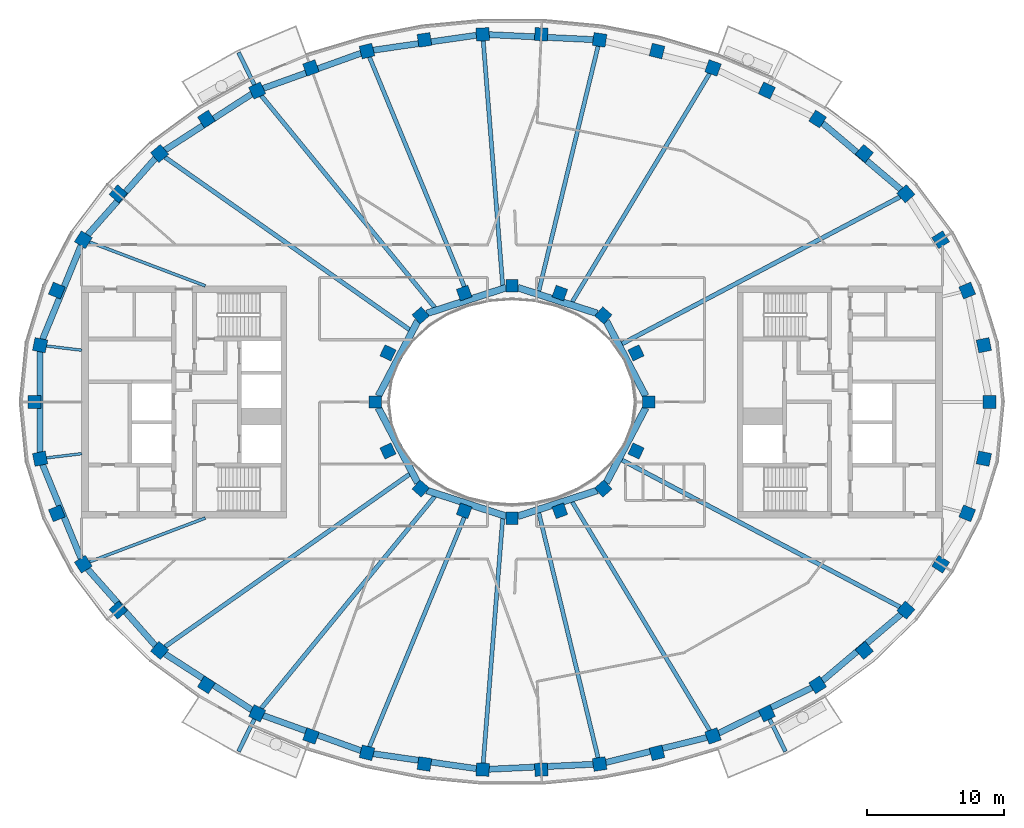
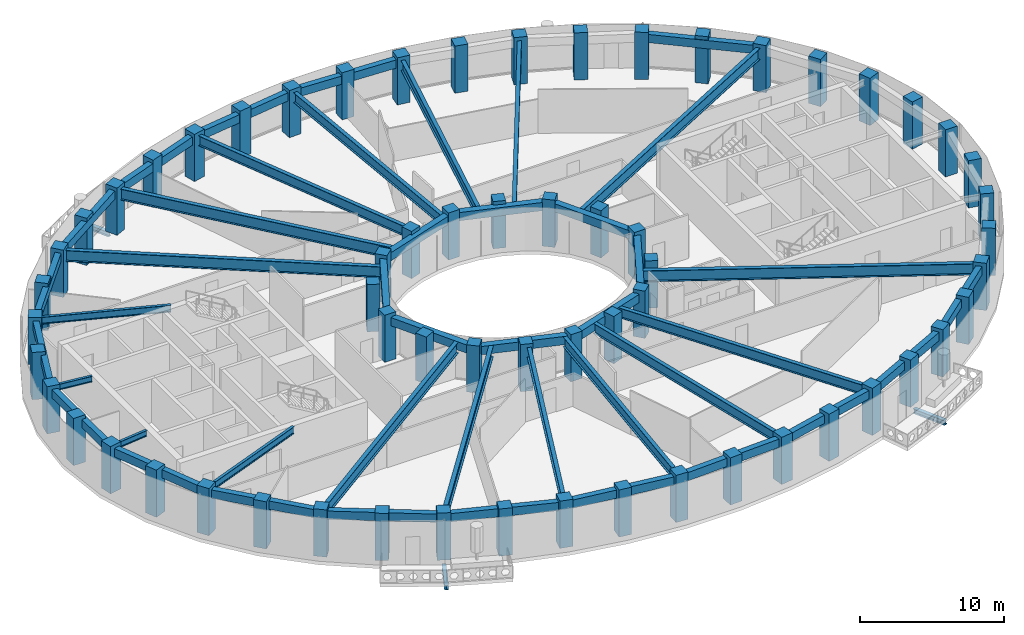
# One storey, part 1 of 15: 62 columns, 46 beams.
"""IFC4 building model written with IfcOpenShell, lengths in metres."""

from ifc_helpers import new_model, si_unit, direction, frame, origin, origin_2d, place, context, subcontext, project, spatial, rectangle, i_section, extrude, material, material_profile, profile_set, type_object, element, save


model = new_model("IFC4")

# Units and contexts
model_context = context("Model", 3, precision=1e-05, world=origin(), true_north=direction((0.0, 1.0)))
body_context = subcontext(model_context, "Body", "Model", "MODEL_VIEW")
ifc_project = project(units=[si_unit("LENGTHUNIT", "METRE"), si_unit("AREAUNIT", "SQUARE_METRE"), si_unit("VOLUMEUNIT", "CUBIC_METRE"), si_unit("PLANEANGLEUNIT", "RADIAN"), si_unit("MASSUNIT", "GRAM", prefix="KILO")], contexts=[model_context])

# Site, building, storey
site_placement = place(None, origin())
site = spatial("IfcSite", under=ifc_project, at=site_placement, CompositionType="ELEMENT")
building_placement = place(site_placement, origin())
building = spatial("IfcBuilding", under=site, at=building_placement, Name="Noorbagh Ring Tower", CompositionType="ELEMENT")
storey_placement = place(building_placement, frame((0.0, 0.0, 307.0)))
storey = spatial("IfcBuildingStorey", under=building, at=storey_placement, Name="L66", CompositionType="ELEMENT", Elevation=307.0)

# Columns
ifc_material_1 = material(Name="Concrete C50/60", Category="concrete")
ifc_material_profile_1 = material_profile(ifc_material_1, rectangle(XDim=0.949951171875, YDim=0.949951171875, at=origin_2d()), Name="RC950x950")
ifc_profile_set_1 = profile_set([ifc_material_profile_1], Name="Concrete C50/60")
column_type_1 = type_object("IfcColumnType", Name="STR-COL-RC950x950-C50-60", PredefinedType="COLUMN", material=ifc_profile_set_1)
for number, where, z_axis, x_axis, name in (
    (1, (34.944580078125, 0.0, 0.0), (0.0, 0.0, 1.0), (0.0, 1.0, 0.0), "L66/col/R1-01"),
    (2, (34.52685546875, 4.150634765625, 0.0), (0.0, 0.0, 1.0), (-0.19723040178, 0.9803571638, 0.0), "L66/col/R1-02"),
    (3, (33.30517578125, 8.1494140625, 0.0), (0.0, 0.0, 1.0), (-0.378989499959, 0.925400971969, 0.0), "L66/col/R1-03"),
    (4, (31.364990234375, 11.87109375, 0.0), (0.0, 0.0, 1.0), (-0.535190403059, 0.844731455833, 0.0), "L66/col/R1-04"),
    (5, (28.81884765625, 15.23046875, 0.0), (0.0, 0.0, 1.0), (-0.662635642662, 0.748941923699, 0.0), "L66/col/R1-05"),
    (6, (25.78271484375, 18.180419921875, 0.0), (0.0, 0.0, 1.0), (-0.763035199656, 0.646356932419, 0.0), "L66/col/R1-06"),
    (7, (22.362060546875, 20.699951171875, 0.0), (0.0, 0.0, 1.0), (-0.840247639643, 0.542202825586, 0.0), "L66/col/R1-07"),
    (8, (18.646240234375, 22.785400390625, 0.0), (0.0, 0.0, 1.0), (-0.898399080868, 0.439180021741, 0.0), "L66/col/R1-08"),
    (9, (14.70947265625, 24.44091796875, 0.0), (0.0, 0.0, 1.0), (-0.941024726094, 0.338337797003, 0.0), "L66/col/R1-09"),
    (10, (10.61328125, 25.673583984375, 0.0), (0.0, 0.0, 1.0), (-0.970829360981, 0.239771457553, 0.0), "L66/col/R1-10"),
    (11, (6.4091796875, 26.49072265625, 0.0), (0.0, 0.0, 1.0), (-0.989713114048, 0.143066249975, 0.0), "L66/col/R1-11"),
    (12, (2.14306640625, 26.89794921875, 0.0), (0.0, 0.0, 1.0), (-0.998868731212, 0.047552684538, 0.0), "L66/col/R1-12"),
    (13, (-2.14306640625, 26.89794921875, 0.0), (0.0, 0.0, 1.0), (-0.998868731212, -0.047552684538, 0.0), "L66/col/R1-13"),
    (14, (-6.4091796875, 26.49072265625, 0.0), (0.0, 0.0, 1.0), (-0.989713114048, -0.143066249975, 0.0), "L66/col/R1-14"),
    (15, (-10.61328125, 25.673583984375, 0.0), (0.0, 0.0, 1.0), (-0.970829360981, -0.239771457553, 0.0), "L66/col/R1-15"),
    (16, (-14.70947265625, 24.44091796875, 0.0), (0.0, 0.0, 1.0), (-0.941024726094, -0.338337797003, 0.0), "L66/col/R1-16"),
    (17, (-18.646240234375, 22.785400390625, 0.0), (0.0, 0.0, 1.0), (-0.898399080868, -0.439180021741, 0.0), "L66/col/R1-17"),
    (18, (-22.362060546875, 20.699951171875, 0.0), (0.0, 0.0, 1.0), (-0.840247639643, -0.542202825586, 0.0), "L66/col/R1-18"),
    (19, (-25.78271484375, 18.180419921875, 0.0), (0.0, 0.0, 1.0), (-0.763035199656, -0.646356932419, 0.0), "L66/col/R1-19"),
    (20, (-28.81884765625, 15.23046875, 0.0), (0.0, 0.0, 1.0), (-0.662635642662, -0.748941923699, 0.0), "L66/col/R1-20"),
    (21, (-31.364990234375, 11.87109375, 0.0), (0.0, 0.0, 1.0), (-0.535190403059, -0.844731455833, 0.0), "L66/col/R1-21"),
    (22, (-33.30517578125, 8.1494140625, 0.0), (0.0, 0.0, 1.0), (-0.378989499959, -0.925400971969, 0.0), "L66/col/R1-22"),
    (23, (-34.52685546875, 4.150634765625, 0.0), (0.0, 0.0, 1.0), (-0.19723040178, -0.9803571638, 0.0), "L66/col/R1-23"),
    (24, (-34.944580078125, 0.0, 0.0), (0.0, 0.0, 1.0), (0.0, -1.0, 0.0), "L66/col/R1-24"),
    (25, (-34.52685546875, -4.150634765625, 0.0), (0.0, 0.0, 1.0), (0.19723040178, -0.9803571638, 0.0), "L66/col/R1-25"),
    (26, (-33.30517578125, -8.1494140625, 0.0), (0.0, 0.0, 1.0), (0.378989499959, -0.925400971969, 0.0), "L66/col/R1-26"),
    (27, (-31.364990234375, -11.87109375, 0.0), (0.0, 0.0, 1.0), (0.535190403059, -0.844731455833, 0.0), "L66/col/R1-27"),
    (28, (-28.81884765625, -15.23046875, 0.0), (0.0, 0.0, 1.0), (0.662635642662, -0.748941923699, 0.0), "L66/col/R1-28"),
    (29, (-25.78271484375, -18.180419921875, 0.0), (0.0, 0.0, 1.0), (0.763035199656, -0.646356932419, 0.0), "L66/col/R1-29"),
    (30, (-22.362060546875, -20.699951171875, 0.0), (0.0, 0.0, 1.0), (0.840247639643, -0.542202825586, 0.0), "L66/col/R1-30"),
    (31, (-18.646240234375, -22.785400390625, 0.0), (0.0, 0.0, 1.0), (0.898399080868, -0.439180021741, 0.0), "L66/col/R1-31"),
    (32, (-14.70947265625, -24.44091796875, 0.0), (0.0, 0.0, 1.0), (0.941024726094, -0.338337797003, 0.0), "L66/col/R1-32"),
    (33, (-10.61328125, -25.673583984375, 0.0), (0.0, 0.0, 1.0), (0.970829360981, -0.239771457553, 0.0), "L66/col/R1-33"),
    (34, (-6.4091796875, -26.49072265625, 0.0), (0.0, 0.0, 1.0), (0.989713114048, -0.143066249975, 0.0), "L66/col/R1-34"),
    (35, (-2.14306640625, -26.89794921875, 0.0), (0.0, 0.0, 1.0), (0.998868731212, -0.047552684538, 0.0), "L66/col/R1-35"),
    (36, (2.14306640625, -26.89794921875, 0.0), (0.0, 0.0, 1.0), (0.998868731212, 0.047552684538, 0.0), "L66/col/R1-36"),
    (37, (6.4091796875, -26.49072265625, 0.0), (0.0, 0.0, 1.0), (0.989713114048, 0.143066249975, 0.0), "L66/col/R1-37"),
    (38, (10.61328125, -25.673583984375, 0.0), (0.0, 0.0, 1.0), (0.970829360981, 0.239771457553, 0.0), "L66/col/R1-38"),
    (39, (14.70947265625, -24.44091796875, 0.0), (0.0, 0.0, 1.0), (0.941024726094, 0.338337797003, 0.0), "L66/col/R1-39"),
    (40, (18.646240234375, -22.785400390625, 0.0), (0.0, 0.0, 1.0), (0.898399080868, 0.439180021741, 0.0), "L66/col/R1-40"),
    (41, (22.362060546875, -20.699951171875, 0.0), (0.0, 0.0, 1.0), (0.840247639643, 0.542202825586, 0.0), "L66/col/R1-41"),
    (42, (25.78271484375, -18.180419921875, 0.0), (0.0, 0.0, 1.0), (0.763035199656, 0.646356932419, 0.0), "L66/col/R1-42"),
    (43, (28.81884765625, -15.23046875, 0.0), (0.0, 0.0, 1.0), (0.662635642662, 0.748941923699, 0.0), "L66/col/R1-43"),
    (44, (31.364990234375, -11.87109375, 0.0), (0.0, 0.0, 1.0), (0.535190403059, 0.844731455833, 0.0), "L66/col/R1-44"),
    (45, (33.30517578125, -8.1494140625, 0.0), (0.0, 0.0, 1.0), (0.378989499959, 0.925400971969, 0.0), "L66/col/R1-45"),
    (46, (34.52685546875, -4.150634765625, 0.0), (0.0, 0.0, 1.0), (0.19723040178, 0.9803571638, 0.0), "L66/col/R1-46"),
):
    element("IfcColumn", number, at=place(storey_placement, frame(where, z_axis=z_axis, x_axis=x_axis)), inside=storey, type_object=column_type_1, Name=name, PredefinedType="COLUMN", context=body_context, shape_type="SweptSolid", body=[
        extrude(rectangle(XDim=0.949951171875, YDim=0.949951171875, at=origin_2d()), origin(), (0.0, 0.0, 1.0), 4.0),
    ])
ifc_material_2 = material(Name="Concrete C50/60", Category="concrete")
ifc_material_profile_2 = material_profile(ifc_material_2, rectangle(XDim=0.89990234375, YDim=0.89990234375, at=origin_2d()), Name="RC900x900")
ifc_profile_set_2 = profile_set([ifc_material_profile_2], Name="Concrete C50/60")
column_type_2 = type_object("IfcColumnType", Name="STR-ICOL-RC900x900-C50-60", PredefinedType="COLUMN", material=ifc_profile_set_2)
for number, where, z_axis, x_axis, name in (
    (47, (10.00830078125, 0.0, 0.0), (0.0, 0.0, 1.0), (0.0, 1.0, 0.0), "L66/col/IR2-W01"),
    (48, (9.07568359375, 3.58837890625, 0.0), (0.0, 0.0, 1.0), (-0.428666979171, 0.903462573087, 0.0), "L66/col/IR2-W03"),
    (49, (6.68212890625, 6.333740234375, 0.0), (0.0, 0.0, 1.0), (-0.75102249095, 0.660276622399, 0.0), "L66/col/IR2-W05"),
    (50, (3.5009765625, 7.967041015625, 0.0), (0.0, 0.0, 1.0), (-0.939019578916, 0.343863679984, 0.0), "L66/col/IR2-W07"),
    (51, (0.0, 8.5029296875, 0.0), (0.0, 0.0, 1.0), (-1.0, 0.0, 0.0), "L66/col/IR2-W09"),
    (52, (-3.5009765625, 7.967041015625, 0.0), (0.0, 0.0, 1.0), (-0.939019578916, -0.343863679984, 0.0), "L66/col/IR2-W11"),
    (53, (-6.68212890625, 6.333740234375, 0.0), (0.0, 0.0, 1.0), (-0.75102249095, -0.660276622399, 0.0), "L66/col/IR2-W13"),
    (54, (-9.07568359375, 3.58837890625, 0.0), (0.0, 0.0, 1.0), (-0.428666979171, -0.903462573087, 0.0), "L66/col/IR2-W15"),
    (55, (-10.00830078125, 0.0, 0.0), (0.0, 0.0, 1.0), (0.0, -1.0, 0.0), "L66/col/IR2-W17"),
    (56, (-9.07568359375, -3.58837890625, 0.0), (0.0, 0.0, 1.0), (0.428666979171, -0.903462573087, 0.0), "L66/col/IR2-W19"),
    (57, (-6.68212890625, -6.333740234375, 0.0), (0.0, 0.0, 1.0), (0.75102249095, -0.660276622399, 0.0), "L66/col/IR2-W21"),
    (58, (-3.5009765625, -7.967041015625, 0.0), (0.0, 0.0, 1.0), (0.939019578916, -0.343863679984, 0.0), "L66/col/IR2-W23"),
    (59, (0.0, -8.5029296875, 0.0), (0.0, 0.0, 1.0), (1.0, 0.0, 0.0), "L66/col/IR2-W25"),
    (60, (3.5009765625, -7.967041015625, 0.0), (0.0, 0.0, 1.0), (0.939019578916, 0.343863679984, 0.0), "L66/col/IR2-W27"),
    (61, (6.68212890625, -6.333740234375, 0.0), (0.0, 0.0, 1.0), (0.75102249095, 0.660276622399, 0.0), "L66/col/IR2-W29"),
    (62, (9.07568359375, -3.58837890625, 0.0), (0.0, 0.0, 1.0), (0.428666979171, 0.903462573087, 0.0), "L66/col/IR2-W31"),
):
    element("IfcColumn", number, at=place(storey_placement, frame(where, z_axis=z_axis, x_axis=x_axis)), inside=storey, type_object=column_type_2, Name=name, PredefinedType="COLUMN", context=body_context, shape_type="SweptSolid", body=[
        extrude(rectangle(XDim=0.89990234375, YDim=0.89990234375, at=origin_2d()), origin(), (0.0, 0.0, 1.0), 4.0),
    ])

# Beams
ifc_material_3 = material(Name="Steel S355", Category="steel")
ifc_material_profile_3 = material_profile(ifc_material_3, i_section(OverallWidth=0.300048828125, OverallDepth=0.39990234375, WebThickness=0.013427734375, FlangeThickness=0.02392578125, FilletRadius=0.027099609375, at=origin_2d()), Name="HEB400")
ifc_profile_set_3 = profile_set([ifc_material_profile_3], Name="Steel S355")
beam_type_1 = type_object("IfcBeamType", Name="STR-BALCONY-BRACKET-HEB400", PredefinedType="BEAM", material=ifc_profile_set_3)
for number, where, z_axis, x_axis, name in (
    (63, (-18.84619140625, 23.194091796875, -0.5), (-0.439236567713, 0.898371436313, 0.0), (-0.898371436313, -0.439236567713, 0.0), "Balcony bracket beam BN05"),
    (64, (-18.84619140625, -23.194091796875, -0.5), (-0.439236567713, -0.898371436313, 0.0), (0.898371436313, -0.439236567713, 0.0), "Balcony bracket beam BS02"),
    (65, (18.84619140625, -23.194091796875, -0.5), (0.439236567713, -0.898371436313, 0.0), (0.898371436313, 0.439236567713, 0.0), "Balcony bracket beam BS05"),
):
    element("IfcBeam", number, at=place(storey_placement, frame(where, z_axis=z_axis, x_axis=x_axis)), inside=storey, type_object=beam_type_1, Name=name, PredefinedType="BEAM", context=body_context, shape_type="SweptSolid", body=[
        extrude(i_section(OverallWidth=0.300048828125, OverallDepth=0.39990234375, WebThickness=0.013427734375, FlangeThickness=0.02392578125, FilletRadius=0.027099609375, at=origin_2d()), origin(), (0.0, 0.0, 1.0), 2.650146484375),
    ])
ifc_material_4 = material(Name="Steel S355", Category="steel")
ifc_material_profile_4 = material_profile(ifc_material_4, i_section(OverallWidth=0.199951171875, OverallDepth=0.5, WebThickness=0.01025390625, FlangeThickness=0.01611328125, FilletRadius=0.02099609375, at=origin_2d()), Name="IPE500")
ifc_profile_set_4 = profile_set([ifc_material_profile_4], Name="Steel S355")
beam_type_2 = type_object("IfcBeamType", Name="STR-RAD-IPE500", PredefinedType="BEAM", material=ifc_profile_set_4)
for number, where, z_axis, x_axis, name in (
    (66, (-34.073486328125, 4.09619140625, 3.449951171875), (0.99285071941, -0.11936267828, 0.0), (0.11936267828, 0.99285071941, 0.0), "L66/bm/RD23"),
    (67, (-34.073486328125, -4.09619140625, 3.449951171875), (0.99285071941, 0.11936267828, 0.0), (-0.11936267828, 0.99285071941, 0.0), "L66/bm/RD25"),
):
    element("IfcBeam", number, at=place(storey_placement, frame(where, z_axis=z_axis, x_axis=x_axis)), inside=storey, type_object=beam_type_2, Name=name, PredefinedType="BEAM", context=body_context, shape_type="SweptSolid", body=[
        extrude(i_section(OverallWidth=0.199951171875, OverallDepth=0.5, WebThickness=0.01025390625, FlangeThickness=0.01611328125, FilletRadius=0.02099609375, at=origin_2d()), origin(), (0.0, 0.0, 1.0), 2.61181640625),
    ])
ifc_material_5 = material(Name="Steel S355", Category="steel")
ifc_material_profile_5 = material_profile(ifc_material_5, i_section(OverallWidth=0.219970703125, OverallDepth=0.60009765625, WebThickness=0.011962890625, FlangeThickness=0.01904296875, FilletRadius=0.02392578125, at=origin_2d()), Name="IPE600")
ifc_profile_set_5 = profile_set([ifc_material_profile_5], Name="Steel S355")
beam_type_3 = type_object("IfcBeamType", Name="STR-RAD-IPE600", PredefinedType="BEAM", material=ifc_profile_set_5)
for number, where, z_axis, x_axis, name in (
    (68, (-30.93017578125, 11.706298828125, 3.39990234375), (0.935258347676, -0.353965850192, 0.0), (0.353965850192, 0.935258347676, 0.0), "L66/bm/RD21"),
    (69, (-30.93017578125, -11.706298828125, 3.39990234375), (0.935258347676, 0.353965850192, 0.0), (-0.353965850192, 0.935258347676, 0.0), "L66/bm/RD27"),
):
    element("IfcBeam", number, at=place(storey_placement, frame(where, z_axis=z_axis, x_axis=x_axis)), inside=storey, type_object=beam_type_3, Name=name, PredefinedType="BEAM", context=body_context, shape_type="SweptSolid", body=[
        extrude(i_section(OverallWidth=0.219970703125, OverallDepth=0.60009765625, WebThickness=0.011962890625, FlangeThickness=0.01904296875, FilletRadius=0.02392578125, at=origin_2d()), origin(), (0.0, 0.0, 1.0), 9.078125),
    ])
ifc_material_6 = material(Name="Steel S355", Category="steel")
ifc_material_profile_6 = material_profile(ifc_material_6, i_section(OverallWidth=0.300048828125, OverallDepth=0.85009765625, WebThickness=0.013916015625, FlangeThickness=0.028076171875, at=origin_2d()), Name="PG850x300x14x28")
ifc_profile_set_6 = profile_set([ifc_material_profile_6], Name="Steel S355")
beam_type_4 = type_object("IfcBeamType", Name="STR-RAD-PG850x300x14x28", PredefinedType="BEAM", material=ifc_profile_set_6)
beam_1_placement = place(storey_placement, frame((14.469970703125, 24.04296875, 3.27490234375), z_axis=(-0.515650204939, -0.856799198264, 0.0), x_axis=(0.856799198264, -0.515650204939, 0.0)))
element("IfcBeam", 70, at=beam_1_placement, inside=storey, type_object=beam_type_4, Name="L66/bm/RD09", PredefinedType="BEAM", context=body_context, shape_type="SweptSolid", body=[
    extrude(i_section(OverallWidth=0.300048828125, OverallDepth=0.85009765625, WebThickness=0.013916015625, FlangeThickness=0.028076171875, at=origin_2d()), origin(), (0.0, 0.0, 1.0), 19.522705078125),
])
beam_2_placement = place(storey_placement, frame((6.3017578125, 26.046630859375, 3.27490234375), z_axis=(-0.235155145901, -0.97195784752, 0.0), x_axis=(0.97195784752, -0.235155145901, 0.0)))
element("IfcBeam", 71, at=beam_2_placement, inside=storey, type_object=beam_type_4, Name="L66/bm/RD11", PredefinedType="BEAM", context=body_context, shape_type="SweptSolid", body=[
    extrude(i_section(OverallWidth=0.300048828125, OverallDepth=0.85009765625, WebThickness=0.013916015625, FlangeThickness=0.028076171875, at=origin_2d()), origin(), (0.0, 0.0, 1.0), 18.456298828125),
])
beam_3_placement = place(storey_placement, frame((-2.10693359375, 26.444091796875, 3.27490234375), z_axis=(0.079423498712, -0.996840964172, 0.0), x_axis=(0.996840964172, 0.079423498712, 0.0)))
element("IfcBeam", 72, at=beam_3_placement, inside=storey, type_object=beam_type_4, Name="L66/bm/RD13", PredefinedType="BEAM", context=body_context, shape_type="SweptSolid", body=[
    extrude(i_section(OverallWidth=0.300048828125, OverallDepth=0.85009765625, WebThickness=0.013916015625, FlangeThickness=0.028076171875, at=origin_2d()), origin(), (0.0, 0.0, 1.0), 17.976318359375),
])
for number, where, z_axis, x_axis, name in (
    (73, (-10.437255859375, 25.248046875, 3.27490234375), (0.382035124729, -0.924147803911, 0.0), (0.924147803911, 0.382035124729, 0.0), "L66/bm/RD15"),
    (74, (-10.437255859375, -25.248046875, 3.27490234375), (0.382035124729, 0.924147803911, 0.0), (-0.924147803911, 0.382035124729, 0.0), "L66/bm/RD33"),
):
    element("IfcBeam", number, at=place(storey_placement, frame(where, z_axis=z_axis, x_axis=x_axis)), inside=storey, type_object=beam_type_4, Name=name, PredefinedType="BEAM", context=body_context, shape_type="SweptSolid", body=[
        extrude(i_section(OverallWidth=0.300048828125, OverallDepth=0.85009765625, WebThickness=0.013916015625, FlangeThickness=0.028076171875, at=origin_2d()), origin(), (0.0, 0.0, 1.0), 18.977294921875),
    ])
beam_4_placement = place(storey_placement, frame((-2.10693359375, -26.444091796875, 3.27490234375), z_axis=(0.079423498712, 0.996840964172, 0.0), x_axis=(-0.996840964172, 0.079423498712, 0.0)))
element("IfcBeam", 75, at=beam_4_placement, inside=storey, type_object=beam_type_4, Name="L66/bm/RD35", PredefinedType="BEAM", context=body_context, shape_type="SweptSolid", body=[
    extrude(i_section(OverallWidth=0.300048828125, OverallDepth=0.85009765625, WebThickness=0.013916015625, FlangeThickness=0.028076171875, at=origin_2d()), origin(), (0.0, 0.0, 1.0), 17.976318359375),
])
beam_5_placement = place(storey_placement, frame((6.3017578125, -26.046630859375, 3.27490234375), z_axis=(-0.235155145901, 0.97195784752, 0.0), x_axis=(-0.97195784752, -0.235155145901, 0.0)))
element("IfcBeam", 76, at=beam_5_placement, inside=storey, type_object=beam_type_4, Name="L66/bm/RD37", PredefinedType="BEAM", context=body_context, shape_type="SweptSolid", body=[
    extrude(i_section(OverallWidth=0.300048828125, OverallDepth=0.85009765625, WebThickness=0.013916015625, FlangeThickness=0.028076171875, at=origin_2d()), origin(), (0.0, 0.0, 1.0), 18.456298828125),
])
beam_6_placement = place(storey_placement, frame((14.469970703125, -24.04296875, 3.27490234375), z_axis=(-0.515650204939, 0.856799198264, 0.0), x_axis=(-0.856799198264, -0.515650204939, 0.0)))
element("IfcBeam", 77, at=beam_6_placement, inside=storey, type_object=beam_type_4, Name="L66/bm/RD39", PredefinedType="BEAM", context=body_context, shape_type="SweptSolid", body=[
    extrude(i_section(OverallWidth=0.300048828125, OverallDepth=0.85009765625, WebThickness=0.013916015625, FlangeThickness=0.028076171875, at=origin_2d()), origin(), (0.0, 0.0, 1.0), 19.522705078125),
])
ifc_material_7 = material(Name="Steel S355", Category="steel")
ifc_material_profile_7 = material_profile(ifc_material_7, i_section(OverallWidth=0.320068359375, OverallDepth=0.949951171875, WebThickness=0.01611328125, FlangeThickness=0.030029296875, at=origin_2d()), Name="PG950x320x16x30")
ifc_profile_set_7 = profile_set([ifc_material_profile_7], Name="Steel S355")
beam_type_5 = type_object("IfcBeamType", Name="STR-RAD-PG950x320x16x30", PredefinedType="BEAM", material=ifc_profile_set_7)
beam_7_placement = place(storey_placement, frame((28.404296875, 15.011474609375, 3.22509765625), z_axis=(-0.884125650742, -0.467249220118, 0.0), x_axis=(0.467249220118, -0.884125650742, 0.0)))
element("IfcBeam", 78, at=beam_7_placement, inside=storey, type_object=beam_type_5, Name="L66/bm/RD05", PredefinedType="BEAM", context=body_context, shape_type="SweptSolid", body=[
    extrude(i_section(OverallWidth=0.320068359375, OverallDepth=0.949951171875, WebThickness=0.01611328125, FlangeThickness=0.030029296875, at=origin_2d()), origin(), (0.0, 0.0, 1.0), 23.0361328125),
])
beam_8_placement = place(storey_placement, frame((-18.349853515625, 22.42333984375, 3.22509765625), z_axis=(0.633310080716, -0.773898146828, 0.0), x_axis=(0.773898146828, 0.633310080716, 0.0)))
element("IfcBeam", 79, at=beam_8_placement, inside=storey, type_object=beam_type_5, Name="L66/bm/RD17", PredefinedType="BEAM", context=body_context, shape_type="SweptSolid", body=[
    extrude(i_section(OverallWidth=0.320068359375, OverallDepth=0.949951171875, WebThickness=0.01611328125, FlangeThickness=0.030029296875, at=origin_2d()), origin(), (0.0, 0.0, 1.0), 20.045166015625),
])
for number, where, z_axis, x_axis, name in (
    (80, (-25.39794921875, 17.908935546875, 3.22509765625), (0.817258066594, -0.576271856494, 0.0), (0.576271856494, 0.817258066594, 0.0), "L66/bm/RD19"),
    (81, (-25.39794921875, -17.908935546875, 3.22509765625), (0.817258066594, 0.576271856494, 0.0), (-0.576271856494, 0.817258066594, 0.0), "L66/bm/RD29"),
):
    element("IfcBeam", number, at=place(storey_placement, frame(where, z_axis=z_axis, x_axis=x_axis)), inside=storey, type_object=beam_type_5, Name=name, PredefinedType="BEAM", context=body_context, shape_type="SweptSolid", body=[
        extrude(i_section(OverallWidth=0.320068359375, OverallDepth=0.949951171875, WebThickness=0.01611328125, FlangeThickness=0.030029296875, at=origin_2d()), origin(), (0.0, 0.0, 1.0), 21.907958984375),
    ])
beam_9_placement = place(storey_placement, frame((-18.349853515625, -22.42333984375, 3.22509765625), z_axis=(0.633310080716, 0.773898146828, 0.0), x_axis=(-0.773898146828, 0.633310080716, 0.0)))
element("IfcBeam", 82, at=beam_9_placement, inside=storey, type_object=beam_type_5, Name="L66/bm/RD31", PredefinedType="BEAM", context=body_context, shape_type="SweptSolid", body=[
    extrude(i_section(OverallWidth=0.320068359375, OverallDepth=0.949951171875, WebThickness=0.01611328125, FlangeThickness=0.030029296875, at=origin_2d()), origin(), (0.0, 0.0, 1.0), 20.045166015625),
])
beam_10_placement = place(storey_placement, frame((28.404296875, -15.011474609375, 3.22509765625), z_axis=(-0.884125650742, 0.467249220118, 0.0), x_axis=(-0.467249220118, -0.884125650742, 0.0)))
element("IfcBeam", 83, at=beam_10_placement, inside=storey, type_object=beam_type_5, Name="L66/bm/RD43", PredefinedType="BEAM", context=body_context, shape_type="SweptSolid", body=[
    extrude(i_section(OverallWidth=0.320068359375, OverallDepth=0.949951171875, WebThickness=0.01611328125, FlangeThickness=0.030029296875, at=origin_2d()), origin(), (0.0, 0.0, 1.0), 23.0361328125),
])
ifc_material_8 = material(Name="Concrete C40/50", Category="concrete")
ifc_material_profile_8 = material_profile(ifc_material_8, rectangle(XDim=0.5, YDim=0.699951171875, at=origin_2d()), Name="RC500x700")
ifc_profile_set_8 = profile_set([ifc_material_profile_8], Name="Concrete C40/50")
beam_type_6 = type_object("IfcBeamType", Name="STR-RB-RC500x700-C40-50", PredefinedType="BEAM", material=ifc_profile_set_8)
beam_11_placement = place(storey_placement, frame((9.781494140625, 0.432373046875, 3.35009765625), z_axis=(-0.464959609013, 0.885331893691, 0.0), x_axis=(-0.885331893691, -0.464959609013, 0.0)))
element("IfcBeam", 84, at=beam_11_placement, inside=storey, type_object=beam_type_6, Name="L66/bm/RG01", PredefinedType="BEAM", context=body_context, shape_type="SweptSolid", body=[
    extrude(rectangle(XDim=0.5, YDim=0.699951171875, at=origin_2d()), origin(), (0.0, 0.0, 1.0), 6.203857421875),
])
for number, where, z_axis, x_axis, name in (
    (85, (6.235107421875, 6.47900390625, 3.35009765625), (-0.951146317375, 0.308740478303, 0.0), (-0.308740478303, -0.951146317375, 0.0), "L66/bm/RG03"),
    (86, (-0.430908203125, 8.363037109375, 3.35009765625), (-0.951146317375, -0.308740478303, 0.0), (0.308740478303, -0.951146317375, 0.0), "L66/bm/RG05"),
):
    element("IfcBeam", number, at=place(storey_placement, frame(where, z_axis=z_axis, x_axis=x_axis)), inside=storey, type_object=beam_type_6, Name=name, PredefinedType="BEAM", context=body_context, shape_type="SweptSolid", body=[
        extrude(rectangle(XDim=0.5, YDim=0.699951171875, at=origin_2d()), origin(), (0.0, 0.0, 1.0), 6.102294921875),
    ])
for number, where, z_axis, x_axis, name in (
    (87, (-6.89697265625, 5.9248046875, 3.35009765625), (-0.464959609013, -0.885331893691, 0.0), (0.885331893691, -0.464959609013, 0.0), "L66/bm/RG07"),
    (88, (-9.781494140625, -0.432373046875, 3.35009765625), (0.464959609013, -0.885331893691, 0.0), (0.885331893691, 0.464959609013, 0.0), "L66/bm/RG09"),
):
    element("IfcBeam", number, at=place(storey_placement, frame(where, z_axis=z_axis, x_axis=x_axis)), inside=storey, type_object=beam_type_6, Name=name, PredefinedType="BEAM", context=body_context, shape_type="SweptSolid", body=[
        extrude(rectangle(XDim=0.5, YDim=0.699951171875, at=origin_2d()), origin(), (0.0, 0.0, 1.0), 6.203857421875),
    ])
for number, where, z_axis, x_axis, name in (
    (89, (-6.235107421875, -6.47900390625, 3.35009765625), (0.951146317375, -0.308740478303, 0.0), (0.308740478303, 0.951146317375, 0.0), "L66/bm/RG11"),
    (90, (0.430908203125, -8.363037109375, 3.35009765625), (0.951146317375, 0.308740478303, 0.0), (-0.308740478303, 0.951146317375, 0.0), "L66/bm/RG13"),
):
    element("IfcBeam", number, at=place(storey_placement, frame(where, z_axis=z_axis, x_axis=x_axis)), inside=storey, type_object=beam_type_6, Name=name, PredefinedType="BEAM", context=body_context, shape_type="SweptSolid", body=[
        extrude(rectangle(XDim=0.5, YDim=0.699951171875, at=origin_2d()), origin(), (0.0, 0.0, 1.0), 6.102294921875),
    ])
beam_12_placement = place(storey_placement, frame((6.89697265625, -5.9248046875, 3.35009765625), z_axis=(0.464959609013, 0.885331893691, 0.0), x_axis=(-0.885331893691, 0.464959609013, 0.0)))
element("IfcBeam", 91, at=beam_12_placement, inside=storey, type_object=beam_type_6, Name="L66/bm/RG15", PredefinedType="BEAM", context=body_context, shape_type="SweptSolid", body=[
    extrude(rectangle(XDim=0.5, YDim=0.699951171875, at=origin_2d()), origin(), (0.0, 0.0, 1.0), 6.203857421875),
])
ifc_material_9 = material(Name="Concrete C40/50", Category="concrete")
ifc_material_profile_9 = material_profile(ifc_material_9, rectangle(XDim=0.449951171875, YDim=0.699951171875, at=origin_2d()), Name="RC450x700")
ifc_profile_set_9 = profile_set([ifc_material_profile_9], Name="Concrete C40/50")
beam_type_7 = type_object("IfcBeamType", Name="STR-SB-RC450x700-C40-50", PredefinedType="BEAM", material=ifc_profile_set_9)
beam_13_placement = place(storey_placement, frame((28.4677734375, 15.52783203125, 3.35009765625), z_axis=(-0.763022759798, 0.646371617594, 0.0), x_axis=(-0.646371617594, -0.763022759798, 0.0)))
element("IfcBeam", 92, at=beam_13_placement, inside=storey, type_object=beam_type_7, Name="L66/bm/SP05", PredefinedType="BEAM", context=body_context, shape_type="SweptSolid", body=[
    extrude(rectangle(XDim=0.449951171875, YDim=0.699951171875, at=origin_2d()), origin(), (0.0, 0.0, 1.0), 7.54296875),
])
beam_14_placement = place(storey_placement, frame((5.95263671875, 26.5126953125, 3.35009765625), z_axis=(-0.998869653919, 0.047533298648, 0.0), x_axis=(-0.047533298648, -0.998869653919, 0.0)))
element("IfcBeam", 93, at=beam_14_placement, inside=storey, type_object=beam_type_7, Name="L66/bm/SP11", PredefinedType="BEAM", context=body_context, shape_type="SweptSolid", body=[
    extrude(rectangle(XDim=0.449951171875, YDim=0.699951171875, at=origin_2d()), origin(), (0.0, 0.0, 1.0), 7.647705078125),
])
beam_15_placement = place(storey_placement, frame((-2.595703125, 26.83251953125, 3.35009765625), z_axis=(-0.989713688826, -0.14306227368, 0.0), x_axis=(0.14306227368, -0.989713688826, 0.0)))
element("IfcBeam", 94, at=beam_15_placement, inside=storey, type_object=beam_type_7, Name="L66/bm/SP13", PredefinedType="BEAM", context=body_context, shape_type="SweptSolid", body=[
    extrude(rectangle(XDim=0.449951171875, YDim=0.699951171875, at=origin_2d()), origin(), (0.0, 0.0, 1.0), 7.6435546875),
])
beam_16_placement = place(storey_placement, frame((-11.043701171875, 25.518798828125, 3.35009765625), z_axis=(-0.941030260788, -0.338322402866, 0.0), x_axis=(0.338322402866, -0.941030260788, 0.0)))
element("IfcBeam", 95, at=beam_16_placement, inside=storey, type_object=beam_type_7, Name="L66/bm/SP15", PredefinedType="BEAM", context=body_context, shape_type="SweptSolid", body=[
    extrude(rectangle(XDim=0.449951171875, YDim=0.699951171875, at=origin_2d()), origin(), (0.0, 0.0, 1.0), 7.62109375),
])
beam_17_placement = place(storey_placement, frame((-19.031494140625, 22.536865234375, 3.35009765625), z_axis=(-0.840242183288, -0.542211281165, 0.0), x_axis=(0.542211281165, -0.840242183288, 0.0)))
element("IfcBeam", 96, at=beam_17_placement, inside=storey, type_object=beam_type_7, Name="L66/bm/SP17", PredefinedType="BEAM", context=body_context, shape_type="SweptSolid", body=[
    extrude(rectangle(XDim=0.449951171875, YDim=0.699951171875, at=origin_2d()), origin(), (0.0, 0.0, 1.0), 7.57568359375),
])
beam_18_placement = place(storey_placement, frame((-26.08740234375, 17.8359375, 3.35009765625), z_axis=(-0.662645487246, -0.748933213466, 0.0), x_axis=(0.748933213466, -0.662645487246, 0.0)))
element("IfcBeam", 97, at=beam_18_placement, inside=storey, type_object=beam_type_7, Name="L66/bm/SP19", PredefinedType="BEAM", context=body_context, shape_type="SweptSolid", body=[
    extrude(rectangle(XDim=0.449951171875, YDim=0.699951171875, at=origin_2d()), origin(), (0.0, 0.0, 1.0), 7.50341796875),
])
beam_19_placement = place(storey_placement, frame((-31.540283203125, 11.443115234375, 3.35009765625), z_axis=(-0.378989151692, -0.925401114598, 0.0), x_axis=(0.925401114598, -0.378989151692, 0.0)))
element("IfcBeam", 98, at=beam_19_placement, inside=storey, type_object=beam_type_7, Name="L66/bm/SP21", PredefinedType="BEAM", context=body_context, shape_type="SweptSolid", body=[
    extrude(rectangle(XDim=0.449951171875, YDim=0.699951171875, at=origin_2d()), origin(), (0.0, 0.0, 1.0), 7.41650390625),
])
beam_20_placement = place(storey_placement, frame((-34.52685546875, 3.68603515625, 3.35009765625), z_axis=(0.0, -1.0, 0.0), x_axis=(1.0, 0.0, 0.0)))
element("IfcBeam", 99, at=beam_20_placement, inside=storey, type_object=beam_type_7, Name="L66/bm/SP23", PredefinedType="BEAM", context=body_context, shape_type="SweptSolid", body=[
    extrude(rectangle(XDim=0.449951171875, YDim=0.699951171875, at=origin_2d()), origin(), (0.0, 0.0, 1.0), 7.3720703125),
])
beam_21_placement = place(storey_placement, frame((-34.35107421875, -4.579833984375, 3.35009765625), z_axis=(0.378989151692, -0.925401114598, 0.0), x_axis=(0.925401114598, 0.378989151692, 0.0)))
element("IfcBeam", 100, at=beam_21_placement, inside=storey, type_object=beam_type_7, Name="L66/bm/SP25", PredefinedType="BEAM", context=body_context, shape_type="SweptSolid", body=[
    extrude(rectangle(XDim=0.449951171875, YDim=0.699951171875, at=origin_2d()), origin(), (0.0, 0.0, 1.0), 7.41650390625),
])
beam_22_placement = place(storey_placement, frame((-31.0595703125, -12.21630859375, 3.35009765625), z_axis=(0.662645487246, -0.748933213466, 0.0), x_axis=(0.748933213466, 0.662645487246, 0.0)))
element("IfcBeam", 101, at=beam_22_placement, inside=storey, type_object=beam_type_7, Name="L66/bm/SP27", PredefinedType="BEAM", context=body_context, shape_type="SweptSolid", body=[
    extrude(rectangle(XDim=0.449951171875, YDim=0.699951171875, at=origin_2d()), origin(), (0.0, 0.0, 1.0), 7.50341796875),
])
beam_23_placement = place(storey_placement, frame((-25.39697265625, -18.42919921875, 3.35009765625), z_axis=(0.840242183288, -0.542211281165, 0.0), x_axis=(0.542211281165, 0.840242183288, 0.0)))
element("IfcBeam", 102, at=beam_23_placement, inside=storey, type_object=beam_type_7, Name="L66/bm/SP29", PredefinedType="BEAM", context=body_context, shape_type="SweptSolid", body=[
    extrude(rectangle(XDim=0.449951171875, YDim=0.699951171875, at=origin_2d()), origin(), (0.0, 0.0, 1.0), 7.57568359375),
])
beam_24_placement = place(storey_placement, frame((-18.21533203125, -22.9404296875, 3.35009765625), z_axis=(0.941030260788, -0.338322402866, 0.0), x_axis=(0.338322402866, 0.941030260788, 0.0)))
element("IfcBeam", 103, at=beam_24_placement, inside=storey, type_object=beam_type_7, Name="L66/bm/SP31", PredefinedType="BEAM", context=body_context, shape_type="SweptSolid", body=[
    extrude(rectangle(XDim=0.449951171875, YDim=0.699951171875, at=origin_2d()), origin(), (0.0, 0.0, 1.0), 7.62109375),
])
beam_25_placement = place(storey_placement, frame((-10.16064453125, -25.739013671875, 3.35009765625), z_axis=(0.989713688826, -0.14306227368, 0.0), x_axis=(0.14306227368, 0.989713688826, 0.0)))
element("IfcBeam", 104, at=beam_25_placement, inside=storey, type_object=beam_type_7, Name="L66/bm/SP33", PredefinedType="BEAM", context=body_context, shape_type="SweptSolid", body=[
    extrude(rectangle(XDim=0.449951171875, YDim=0.699951171875, at=origin_2d()), origin(), (0.0, 0.0, 1.0), 7.6435546875),
])
beam_26_placement = place(storey_placement, frame((-1.6865234375, -26.876220703125, 3.35009765625), z_axis=(0.998869653919, 0.047533298648, 0.0), x_axis=(-0.047533298648, 0.998869653919, 0.0)))
element("IfcBeam", 105, at=beam_26_placement, inside=storey, type_object=beam_type_7, Name="L66/bm/SP35", PredefinedType="BEAM", context=body_context, shape_type="SweptSolid", body=[
    extrude(rectangle(XDim=0.449951171875, YDim=0.699951171875, at=origin_2d()), origin(), (0.0, 0.0, 1.0), 7.647705078125),
])
beam_27_placement = place(storey_placement, frame((6.853271484375, -26.381103515625, 3.35009765625), z_axis=(0.970830763324, 0.239765779427, 0.0), x_axis=(-0.239765779427, 0.970830763324, 0.0)))
element("IfcBeam", 106, at=beam_27_placement, inside=storey, type_object=beam_type_7, Name="L66/bm/SP37", PredefinedType="BEAM", context=body_context, shape_type="SweptSolid", body=[
    extrude(rectangle(XDim=0.449951171875, YDim=0.699951171875, at=origin_2d()), origin(), (0.0, 0.0, 1.0), 7.634765625),
])
beam_28_placement = place(storey_placement, frame((15.120849609375, -24.23974609375, 3.35009765625), z_axis=(0.898405762579, 0.43916635318, 0.0), x_axis=(-0.43916635318, 0.898405762579, 0.0)))
element("IfcBeam", 107, at=beam_28_placement, inside=storey, type_object=beam_type_7, Name="L66/bm/SP39", PredefinedType="BEAM", context=body_context, shape_type="SweptSolid", body=[
    extrude(rectangle(XDim=0.449951171875, YDim=0.699951171875, at=origin_2d()), origin(), (0.0, 0.0, 1.0), 7.6015625),
])
beam_29_placement = place(storey_placement, frame((22.71240234375, -20.4033203125, 3.35009765625), z_axis=(0.763022759798, 0.646371617594, 0.0), x_axis=(-0.646371617594, 0.763022759798, 0.0)))
element("IfcBeam", 108, at=beam_29_placement, inside=storey, type_object=beam_type_7, Name="L66/bm/SP41", PredefinedType="BEAM", context=body_context, shape_type="SweptSolid", body=[
    extrude(rectangle(XDim=0.449951171875, YDim=0.699951171875, at=origin_2d()), origin(), (0.0, 0.0, 1.0), 7.54296875),
])

save(model, "model.ifc")
